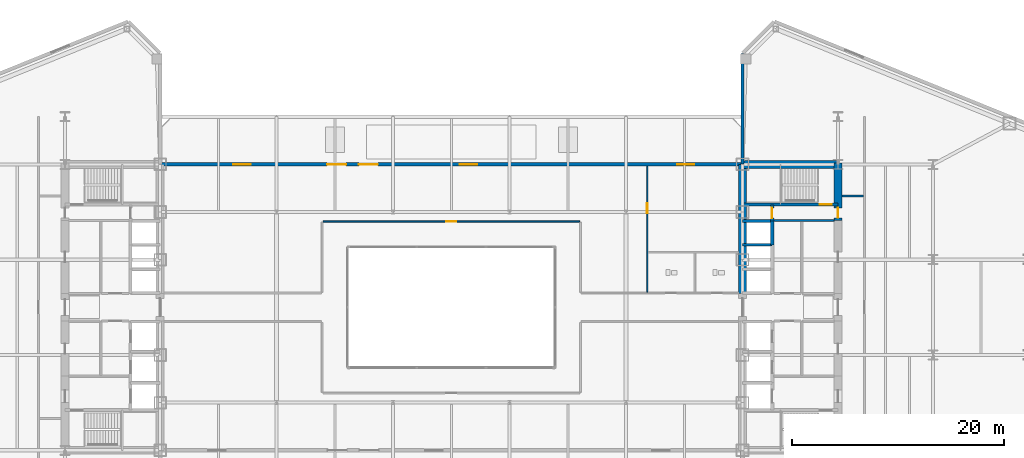
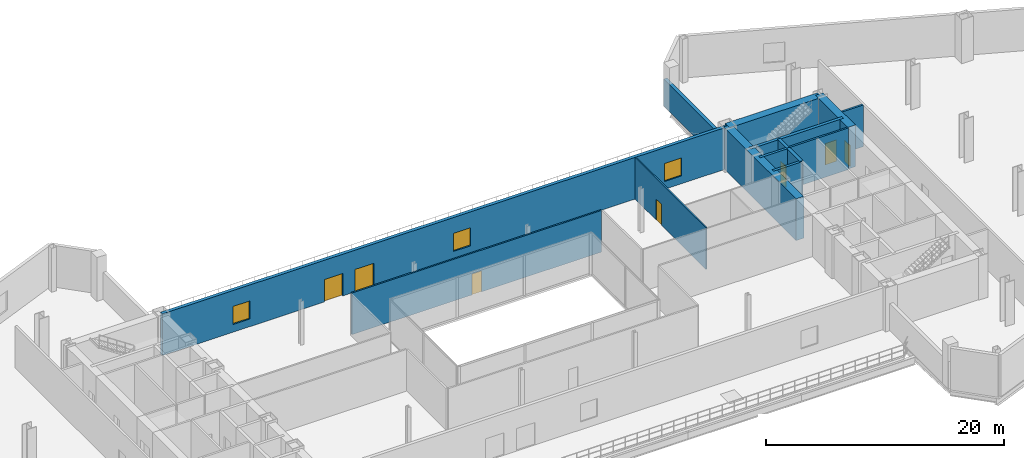
# One storey, part 19 of 23: 14 walls, 7 doors, 3 windows, 10 openings.
"""IFC4 building model written with IfcOpenShell, lengths in metres."""

from ifc_helpers import new_model, si_unit, direction, frame, frame_2d, origin, place, context, subcontext, project, spatial, rectangle, extrude, source, transform, mapped, material, layer, layer_set, type_object, type_shapes, element, fill, save


model = new_model("IFC4")

# Units and contexts
model_context = context("Model", 3, precision=1e-05, world=origin(), true_north=direction((0.0, 1.0)))
body_context = subcontext(model_context, "Body", "Model", "MODEL_VIEW")
ifc_project = project(units=[si_unit("LENGTHUNIT", "METRE"), si_unit("AREAUNIT", "SQUARE_METRE"), si_unit("VOLUMEUNIT", "CUBIC_METRE"), si_unit("PLANEANGLEUNIT", "RADIAN"), si_unit("MASSUNIT", "GRAM", prefix="KILO")], contexts=[model_context])

# Site, building, storey
site_placement = place(None, origin())
site = spatial("IfcSite", under=ifc_project, at=site_placement, CompositionType="ELEMENT")
building_placement = place(site_placement, origin())
building = spatial("IfcBuilding", under=site, at=building_placement, Name="Seokmaru Belvedere", CompositionType="ELEMENT")
storey_placement = place(building_placement, frame((0.0, 0.0, 14.39990234375)))
storey = spatial("IfcBuildingStorey", under=building, at=storey_placement, Name="L03", CompositionType="ELEMENT", Elevation=14.39990234375)

# Wall, opening, door
ifc_material_1 = material(Name="Fire-Rated Gypsum Shaftwall")
ifc_layer_1 = layer(ifc_material_1, 0.14990234375)
ifc_layer_set_1 = layer_set([ifc_layer_1], Name="Fire-Rated Gypsum Shaftwall")
wall_type_1 = type_object("IfcWallType", Name="Apartment Fire-Acoustic Room Partition 150", PredefinedType="PARTITIONING", material=ifc_layer_set_1)
wall_1_placement = place(storey_placement, frame((-12.114990234375, 8.10009765625, 0.0), z_axis=(0.0, 0.0, 1.0), x_axis=(1.0, 0.0, 0.0)))
wall_1 = element("IfcWall", 1, at=wall_1_placement, inside=storey, type_object=wall_type_1, Name="L03 Interior Partition 009", PredefinedType="PARTITIONING", context=body_context, shape_type="SweptSolid", body=[
    extrude(rectangle(XDim=24.22998046875, YDim=0.14990234375, at=frame_2d((12.114990234375, 0.0))), origin(), (0.0, 0.0, 1.0), 4.280029296875),
])
opening_1_placement = place(wall_1_placement, frame((11.639892578125, 0.0, 0.0)))
opening_1 = element("IfcOpeningElement", 2, at=opening_1_placement, cuts=wall_1, Name="Opening D05", PredefinedType="OPENING", context=body_context, shape_type="SweptSolid", body=[
    extrude(rectangle(XDim=0.949951171875, YDim=2.14990234375, at=frame_2d((0.47509765625, 1.074951171875))), frame((0.0, 0.0849609375, 0.0), z_axis=(0.0, -1.0, 0.0), x_axis=(1.0, 0.0, 0.0)), (0.0, 0.0, 1.0), 0.169921875),
])
ifc_material_2 = material(Name="Engineered White Oak Timber", Category="wood")
door_type_1 = type_object("IfcDoorType", Name="Apartment Interior Fire-Rated Oak Door 950x2150", OperationType="NOTDEFINED", PredefinedType="DOOR", material=ifc_material_2)
shared_shape_1 = source(origin(), body_context, "Body", "SweptSolid", [
    extrude(rectangle(XDim=0.949951171875, YDim=2.14990234375, at=frame_2d((0.47509765625, 1.074951171875))), frame((0.0, 0.02490234375, 0.0), z_axis=(0.0, -1.0, 0.0), x_axis=(1.0, 0.0, 0.0)), (0.0, 0.0, 1.0), 0.050048828125),
])
type_shapes(door_type_1, [shared_shape_1])
door_1_placement = place(opening_1_placement, origin())
door_1 = element("IfcDoor", 3, at=door_1_placement, inside=storey, type_object=door_type_1, Name="L03 Interior Door 003", OperationType="SINGLE_SWING_LEFT", OverallHeight=2.14990234375, OverallWidth=0.949951171875, PredefinedType="DOOR", context=body_context, shape_type="MappedRepresentation", body=[
    mapped(shared_shape_1, transform((0.0, 0.0, 0.0), scale=1.0)),
])
fill(opening_1, door_1)

# Walls
ifc_layer_2 = layer(ifc_material_1, 0.179931640625)
ifc_layer_set_2 = layer_set([ifc_layer_2], Name="Fire-Rated Gypsum Shaftwall")
wall_type_2 = type_object("IfcWallType", Name="Core Service Fire Partition 180", PredefinedType="PARTITIONING", material=ifc_layer_set_2)
wall_2_placement = place(storey_placement, frame((30.449951171875, 8.199951171875, 0.0), z_axis=(0.0, 0.0, 1.0), x_axis=(1.0, 0.0, 0.0)))
element("IfcWall", 4, at=wall_2_placement, inside=storey, type_object=wall_type_2, Name="L03 East Smokeproof Vestibule Partition", PredefinedType="PARTITIONING", context=body_context, shape_type="SweptSolid", body=[
    extrude(rectangle(XDim=5.699951171875, YDim=0.179931640625, at=frame_2d((2.85009765625, 0.0))), origin(), (0.0, 0.0, 1.0), 4.280029296875),
])
ifc_material_3 = material(Name="Concrete C50 (50 MPa)", Category="concrete")
ifc_layer_3 = layer(ifc_material_3, 0.25)
ifc_layer_set_3 = layer_set([ifc_layer_3], Name="Concrete C50 (50 MPa)")
wall_type_3 = type_object("IfcWallType", Name="Hoistway Transverse Concrete Divider Wall 250", PredefinedType="SHEAR", material=ifc_layer_set_3)
for number, where, z_axis, x_axis, name in (
    (5, (27.5, 5.89990234375, 0.0), (0.0, 0.0, 1.0), (1.0, 0.0, 0.0), "L03 East Hoistway Divider Core Wall 6"),
    (6, (27.5, 8.14990234375, 0.0), (0.0, 0.0, 1.0), (1.0, 0.0, 0.0), "L03 East Hoistway Divider Core Wall 7"),
):
    element("IfcWall", number, at=place(storey_placement, frame(where, z_axis=z_axis, x_axis=x_axis)), inside=storey, type_object=wall_type_3, Name=name, PredefinedType="SHEAR", context=body_context, shape_type="SweptSolid", body=[
        extrude(rectangle(XDim=2.800048828125, YDim=0.25, at=frame_2d((1.39990234375, 0.0))), origin(), (0.0, 0.0, 1.0), 4.280029296875),
    ])
ifc_layer_4 = layer(ifc_material_1, 0.199951171875)
ifc_layer_set_4 = layer_set([ifc_layer_4], Name="Fire-Rated Gypsum Shaftwall")
wall_type_4 = type_object("IfcWallType", Name="Inter-Tenancy Fire Compartment Partition 200", PredefinedType="PARTITIONING", material=ifc_layer_set_4)
wall_3_placement = place(storey_placement, frame((36.8798828125, 10.5, 0.0), z_axis=(0.0, 0.0, 1.0), x_axis=(1.0, 0.0, 0.0)))
element("IfcWall", 7, at=wall_3_placement, inside=storey, type_object=wall_type_4, Name="L03 Interior Partition 011", PredefinedType="PARTITIONING", context=body_context, shape_type="SweptSolid", body=[
    extrude(rectangle(XDim=2.03515625, YDim=0.199951171875, at=frame_2d((1.017578125, 0.0))), origin(), (0.0, 0.0, 1.0), 4.280029296875),
])

# Wall, opening, door
ifc_layer_5 = layer(ifc_material_3, 0.300048828125)
ifc_layer_set_5 = layer_set([ifc_layer_5], Name="Concrete C50 (50 MPa)")
wall_type_5 = type_object("IfcWallType", Name="Internal Core Stair and Hoistway Wall 300", PredefinedType="SHEAR", material=ifc_layer_set_5)
wall_4_placement = place(storey_placement, frame((27.5, 9.699951171875, 0.0), z_axis=(0.0, 0.0, 1.0), x_axis=(1.0, 0.0, 0.0)))
wall_4 = element("IfcWall", 8, at=wall_4_placement, inside=storey, type_object=wall_type_5, Name="L03 East Stair ST-2 Enclosure Wall", PredefinedType="SHEAR", context=body_context, shape_type="SweptSolid", body=[
    extrude(rectangle(XDim=9.0, YDim=0.300048828125, at=frame_2d((4.5, 0.0))), origin(), (0.0, 0.0, 1.0), 4.280029296875),
])
opening_2_placement = place(wall_4_placement, frame((7.300048828125, 0.0, 0.0)))
opening_2 = element("IfcOpeningElement", 9, at=opening_2_placement, cuts=wall_4, Name="Opening D01", PredefinedType="OPENING", context=body_context, shape_type="SweptSolid", body=[
    extrude(rectangle(XDim=1.10009765625, YDim=2.199951171875, at=frame_2d((0.550048828125, 1.10009765625))), frame((0.0, 0.16015625, 0.0), z_axis=(0.0, -1.0, 0.0), x_axis=(1.0, 0.0, 0.0)), (0.0, 0.0, 1.0), 0.320068359375),
])
ifc_material_4 = material(Name="Fire-Rated Steel Leaf", Category="steel")
door_type_2 = type_object("IfcDoorType", Name="Special Escape Stair Smokeproof Fire Door 1100x2200", OperationType="NOTDEFINED", PredefinedType="DOOR", material=ifc_material_4)
shared_shape_2 = source(origin(), body_context, "Body", "SweptSolid", [
    extrude(rectangle(XDim=1.10009765625, YDim=2.199951171875, at=frame_2d((0.550048828125, 1.10009765625))), frame((0.0, 0.02490234375, 0.0), z_axis=(0.0, -1.0, 0.0), x_axis=(1.0, 0.0, 0.0)), (0.0, 0.0, 1.0), 0.050048828125),
])
type_shapes(door_type_2, [shared_shape_2])
door_2_placement = place(opening_2_placement, origin())
door_2 = element("IfcDoor", 10, at=door_2_placement, inside=storey, type_object=door_type_2, Name="L03 East Special Escape Stair ST-2 Door", OperationType="SINGLE_SWING_LEFT", OverallHeight=2.199951171875, OverallWidth=1.10009765625, PredefinedType="DOOR", context=body_context, shape_type="MappedRepresentation", body=[
    mapped(shared_shape_2, transform((0.0, 0.0, 0.0), scale=1.0)),
])
fill(opening_2, door_2)

# Wall
wall_5_placement = place(storey_placement, frame((30.300048828125, 5.89990234375, 0.0), z_axis=(0.0, 0.0, 1.0), x_axis=(0.0, 1.0, 0.0)))
element("IfcWall", 11, at=wall_5_placement, inside=storey, type_object=wall_type_5, Name="L03 East North Hoistway Wall OBS", PredefinedType="SHEAR", context=body_context, shape_type="SweptSolid", body=[
    extrude(rectangle(XDim=2.25, YDim=0.300048828125, at=frame_2d((1.125, 0.0))), origin(), (0.0, 0.0, 1.0), 4.280029296875),
])

# Wall, opening, door
wall_6_placement = place(storey_placement, frame((30.300048828125, 8.14990234375, 0.0), z_axis=(0.0, 0.0, 1.0), x_axis=(0.0, 1.0, 0.0)))
wall_6 = element("IfcWall", 12, at=wall_6_placement, inside=storey, type_object=wall_type_5, Name="L03 East Electrical Riser Front Wall", PredefinedType="SHEAR", context=body_context, shape_type="SweptSolid", body=[
    extrude(rectangle(XDim=1.530029296875, YDim=0.300048828125, at=frame_2d((0.76513671875, 0.0))), origin(), (0.0, 0.0, 1.0), 4.280029296875),
])
opening_3_placement = place(wall_6_placement, frame((0.284912109375, 0.0, 0.0)))
opening_3 = element("IfcOpeningElement", 13, at=opening_3_placement, cuts=wall_6, Name="Opening D04", PredefinedType="OPENING", context=body_context, shape_type="SweptSolid", body=[
    extrude(rectangle(XDim=0.949951171875, YDim=2.14990234375, at=frame_2d((0.47509765625, 1.074951171875))), frame((0.0, 0.16015625, 0.0), z_axis=(0.0, -1.0, 0.0), x_axis=(1.0, 0.0, 0.0)), (0.0, 0.0, 1.0), 0.320068359375),
])
door_type_3 = type_object("IfcDoorType", Name="Core Service Room Fire Door 950x2150", OperationType="NOTDEFINED", PredefinedType="DOOR", material=ifc_material_4)
shared_shape_3 = source(origin(), body_context, "Body", "SweptSolid", [
    extrude(rectangle(XDim=0.949951171875, YDim=2.14990234375, at=frame_2d((0.47509765625, 1.074951171875))), frame((0.0, 0.02490234375, 0.0), z_axis=(0.0, -1.0, 0.0), x_axis=(1.0, 0.0, 0.0)), (0.0, 0.0, 1.0), 0.050048828125),
])
type_shapes(door_type_3, [shared_shape_3])
door_3_placement = place(opening_3_placement, origin())
door_3 = element("IfcDoor", 14, at=door_3_placement, inside=storey, type_object=door_type_3, Name="L03 East Electrical Riser Access Door", OperationType="SINGLE_SWING_RIGHT", OverallHeight=2.14990234375, OverallWidth=0.949951171875, PredefinedType="DOOR", context=body_context, shape_type="MappedRepresentation", body=[
    mapped(shared_shape_3, transform((0.0, 0.0, 0.0), scale=1.0)),
])
fill(opening_3, door_3)

# Walls
ifc_material_5 = material(Name="Concrete C60 (60 MPa)", Category="concrete")
ifc_layer_6 = layer(ifc_material_5, 0.75)
ifc_layer_set_6 = layer_set([ifc_layer_6], Name="Concrete C60 (60 MPa)")
wall_type_6 = type_object("IfcWallType", Name="Lower Tower Reinforced Concrete Core Wall 750", PredefinedType="SHEAR", material=ifc_layer_set_6)
wall_7_placement = place(storey_placement, frame((27.5, 1.300048828125, 0.0), z_axis=(0.0, 0.0, 1.0), x_axis=(0.0, 1.0, 0.0)))
element("IfcWall", 15, at=wall_7_placement, inside=storey, type_object=wall_type_6, Name="L03 East Portal Spine Core Wall North", PredefinedType="SHEAR", context=body_context, shape_type="SweptSolid", body=[
    extrude(rectangle(XDim=12.199951171875, YDim=0.75, at=frame_2d((6.10009765625, 0.0))), origin(), (0.0, 0.0, 1.0), 4.280029296875),
])
wall_8_placement = place(storey_placement, frame((27.5, 13.5, 0.0), z_axis=(0.0, 0.0, 1.0), x_axis=(1.0, 0.0, 0.0)))
element("IfcWall", 16, at=wall_8_placement, inside=storey, type_object=wall_type_6, Name="L03 East North Core Wall", PredefinedType="SHEAR", context=body_context, shape_type="SweptSolid", body=[
    extrude(rectangle(XDim=9.0, YDim=0.75, at=frame_2d((4.5, 0.0))), origin(), (0.0, 0.0, 1.0), 4.280029296875),
])

# Wall, opening, door
wall_9_placement = place(storey_placement, frame((36.5, 8.199951171875, 0.0), z_axis=(0.0, 0.0, 1.0), x_axis=(0.0, 1.0, 0.0)))
wall_9 = element("IfcWall", 17, at=wall_9_placement, inside=storey, type_object=wall_type_6, Name="L03 East West Core Wall VST", PredefinedType="SHEAR", context=body_context, shape_type="SweptSolid", body=[
    extrude(rectangle(XDim=5.449951171875, YDim=0.75, at=frame_2d((2.72509765625, 0.0))), origin(), (0.0, 0.0, 1.0), 4.280029296875),
])
opening_4_placement = place(wall_9_placement, frame((0.2451171875, 0.0, 0.0)))
opening_4 = element("IfcOpeningElement", 18, at=opening_4_placement, cuts=wall_9, Name="Opening D04", PredefinedType="OPENING", context=body_context, shape_type="SweptSolid", body=[
    extrude(rectangle(XDim=0.949951171875, YDim=2.14990234375, at=frame_2d((0.47509765625, 1.074951171875))), frame((0.0, 0.385009765625, 0.0), z_axis=(0.0, -1.0, 0.0), x_axis=(1.0, 0.0, 0.0)), (0.0, 0.0, 1.0), 0.77001953125),
])
door_4_placement = place(opening_4_placement, origin())
door_4 = element("IfcDoor", 19, at=door_4_placement, inside=storey, type_object=door_type_3, Name="L03 East Smokeproof Vestibule Door", OperationType="SINGLE_SWING_LEFT", OverallHeight=2.14990234375, OverallWidth=0.949951171875, PredefinedType="DOOR", context=body_context, shape_type="MappedRepresentation", body=[
    mapped(shared_shape_3, transform((0.0, 0.0, 0.0), scale=1.0)),
])
fill(opening_4, door_4)

ifc_layer_7 = layer(ifc_material_1, 0.1298828125)
ifc_layer_set_7 = layer_set([ifc_layer_7], Name="Fire-Rated Gypsum Shaftwall")
wall_type_7 = type_object("IfcWallType", Name="Moisture-Resistant Fire-Rated Bathroom Partition 130", PredefinedType="PARTITIONING", material=ifc_layer_set_7)
wall_10_placement = place(storey_placement, frame((18.5, 1.43505859375, 0.0), z_axis=(0.0, 0.0, 1.0), x_axis=(0.0, 1.0, 0.0)))
wall_10 = element("IfcWall", 20, at=wall_10_placement, inside=storey, type_object=wall_type_7, Name="L03 Interior Partition 017", PredefinedType="PARTITIONING", context=body_context, shape_type="SweptSolid", body=[
    extrude(rectangle(XDim=11.89990234375, YDim=0.1298828125, at=frame_2d((5.949951171875, 0.0))), origin(), (0.0, 0.0, 1.0), 4.280029296875),
])
opening_5_placement = place(wall_10_placement, frame((7.43994140625, 0.0, 0.0)))
opening_5 = element("IfcOpeningElement", 21, at=opening_5_placement, cuts=wall_10, Name="Opening D05", PredefinedType="OPENING", context=body_context, shape_type="SweptSolid", body=[
    extrude(rectangle(XDim=0.949951171875, YDim=2.14990234375, at=frame_2d((0.47509765625, 1.074951171875))), frame((0.0, 0.074951171875, 0.0), z_axis=(0.0, -1.0, 0.0), x_axis=(1.0, 0.0, 0.0)), (0.0, 0.0, 1.0), 0.14990234375),
])
door_5_placement = place(opening_5_placement, origin())
door_5 = element("IfcDoor", 22, at=door_5_placement, inside=storey, type_object=door_type_1, Name="L03 Interior Door 007", OperationType="SINGLE_SWING_LEFT", OverallHeight=2.14990234375, OverallWidth=0.949951171875, PredefinedType="DOOR", context=body_context, shape_type="MappedRepresentation", body=[
    mapped(shared_shape_1, transform((0.0, 0.0, 0.0), scale=1.0)),
])
fill(opening_5, door_5)

# Wall
ifc_material_6 = material(Name="Concrete C40 (40 MPa)", Category="concrete")
ifc_layer_8 = layer(ifc_material_6, 0.320068359375)
ifc_layer_set_8 = layer_set([ifc_layer_8], Name="Concrete C40 (40 MPa)")
wall_type_8 = type_object("IfcWallType", Name="Podium Terrace Insulated Wall 320", PredefinedType="SOLIDWALL", material=ifc_layer_set_8)
wall_11_placement = place(storey_placement, frame((27.5, 13.550048828125, 0.0), z_axis=(0.0, 0.0, 1.0), x_axis=(0.0, 1.0, 0.0)))
element("IfcWall", 23, at=wall_11_placement, inside=storey, type_object=wall_type_8, Name="L03 Exterior Podium Spine Wall 11N", PredefinedType="SOLIDWALL", context=body_context, shape_type="SweptSolid", body=[
    extrude(rectangle(XDim=10.39990234375, YDim=0.320068359375, at=frame_2d((5.199951171875, 0.0))), origin(), (0.0, 0.0, 1.0), 2.780029296875),
])

# Wall, openings, doors, windows
wall_12_placement = place(storey_placement, frame((27.4599609375, 13.5, 0.0), z_axis=(0.0, 0.0, 1.0), x_axis=(-1.0, 0.0, 0.0)))
wall_12 = element("IfcWall", 24, at=wall_12_placement, inside=storey, type_object=wall_type_8, Name="L03 Exterior Podium Wall 12", PredefinedType="SOLIDWALL", context=body_context, shape_type="SweptSolid", body=[
    extrude(rectangle(XDim=54.919921875, YDim=0.320068359375, at=frame_2d((27.4599609375, 0.0))), origin(), (0.0, 0.0, 1.0), 4.280029296875),
])
opening_6_placement = place(wall_12_placement, frame((34.39990234375, 0.0, 0.0)))
opening_6 = element("IfcOpeningElement", 25, at=opening_6_placement, cuts=wall_12, Name="Opening DX3", PredefinedType="OPENING", context=body_context, shape_type="SweptSolid", body=[
    extrude(rectangle(XDim=1.800048828125, YDim=2.300048828125, at=frame_2d((0.89990234375, 1.14990234375))), frame((0.0, 0.169921875, 0.0), z_axis=(0.0, -1.0, 0.0), x_axis=(1.0, 0.0, 0.0)), (0.0, 0.0, 1.0), 0.340087890625),
])
opening_7_placement = place(wall_12_placement, frame((37.39990234375, 0.0, 0.0)))
opening_7 = element("IfcOpeningElement", 26, at=opening_7_placement, cuts=wall_12, Name="Opening DX3", PredefinedType="OPENING", context=body_context, shape_type="SweptSolid", body=[
    extrude(rectangle(XDim=1.800048828125, YDim=2.300048828125, at=frame_2d((0.89990234375, 1.14990234375))), frame((0.0, 0.169921875, 0.0), z_axis=(0.0, -1.0, 0.0), x_axis=(1.0, 0.0, 0.0)), (0.0, 0.0, 1.0), 0.340087890625),
])
opening_8_placement = place(wall_12_placement, frame((4.5, 0.0, 0.800048828125)))
opening_8 = element("IfcOpeningElement", 27, at=opening_8_placement, cuts=wall_12, Name="Opening WN8", PredefinedType="OPENING", context=body_context, shape_type="SweptSolid", body=[
    extrude(rectangle(XDim=1.64990234375, YDim=1.85009765625, at=frame_2d((0.824951171875, 0.925048828125))), frame((0.0, 0.169921875, 0.0), z_axis=(0.0, -1.0, 0.0), x_axis=(1.0, 0.0, 0.0)), (0.0, 0.0, 1.0), 0.340087890625),
])
opening_9_placement = place(wall_12_placement, frame((25.0, 0.0, 0.800048828125)))
opening_9 = element("IfcOpeningElement", 28, at=opening_9_placement, cuts=wall_12, Name="Opening WN8", PredefinedType="OPENING", context=body_context, shape_type="SweptSolid", body=[
    extrude(rectangle(XDim=1.64990234375, YDim=1.85009765625, at=frame_2d((0.824951171875, 0.925048828125))), frame((0.0, 0.169921875, 0.0), z_axis=(0.0, -1.0, 0.0), x_axis=(1.0, 0.0, 0.0)), (0.0, 0.0, 1.0), 0.340087890625),
])
opening_10_placement = place(wall_12_placement, frame((46.419921875, 0.0, 0.800048828125)))
opening_10 = element("IfcOpeningElement", 29, at=opening_10_placement, cuts=wall_12, Name="Opening WN8", PredefinedType="OPENING", context=body_context, shape_type="SweptSolid", body=[
    extrude(rectangle(XDim=1.64990234375, YDim=1.85009765625, at=frame_2d((0.824951171875, 0.925048828125))), frame((0.0, 0.169921875, 0.0), z_axis=(0.0, -1.0, 0.0), x_axis=(1.0, 0.0, 0.0)), (0.0, 0.0, 1.0), 0.340087890625),
])
ifc_material_7 = material(Name="Anodised Bronze Aluminium", Category="aluminium")
door_type_4 = type_object("IfcDoorType", Name="Cascading Terrace Glazed Double Door 1800x2300", OperationType="DOUBLE_SWING_LEFT", PredefinedType="DOOR", material=ifc_material_7)
shared_shape_4 = source(origin(), body_context, "Body", "SweptSolid", [
    extrude(rectangle(XDim=1.800048828125, YDim=2.300048828125, at=frame_2d((0.89990234375, 1.14990234375))), frame((0.0, 0.02490234375, 0.0), z_axis=(0.0, -1.0, 0.0), x_axis=(1.0, 0.0, 0.0)), (0.0, 0.0, 1.0), 0.050048828125),
])
type_shapes(door_type_4, [shared_shape_4])
door_6_placement = place(opening_6_placement, frame((1.800048828125, 0.0, 0.0), z_axis=(0.0, 0.0, 1.0), x_axis=(-1.0, 0.0, 0.0)))
door_6 = element("IfcDoor", 30, at=door_6_placement, inside=storey, type_object=door_type_4, Name="L03 North Garden Terrace Access Door 1", OperationType="DOUBLE_SWING_LEFT", OverallHeight=2.300048828125, OverallWidth=1.800048828125, PredefinedType="DOOR", context=body_context, shape_type="MappedRepresentation", body=[
    mapped(shared_shape_4, transform((0.0, 0.0, 0.0), scale=1.0)),
])
fill(opening_6, door_6)
door_7_placement = place(opening_7_placement, frame((1.800048828125, 0.0, 0.0), z_axis=(0.0, 0.0, 1.0), x_axis=(-1.0, 0.0, 0.0)))
door_7 = element("IfcDoor", 31, at=door_7_placement, inside=storey, type_object=door_type_4, Name="L03 North Garden Terrace Access Door 2", OperationType="DOUBLE_SWING_LEFT", OverallHeight=2.300048828125, OverallWidth=1.800048828125, PredefinedType="DOOR", context=body_context, shape_type="MappedRepresentation", body=[
    mapped(shared_shape_4, transform((0.0, 0.0, 0.0), scale=1.0)),
])
fill(opening_7, door_7)
ifc_material_8 = material(Name="Bronze Triple Insulating Glass", Category="glass")
window_type = type_object("IfcWindowType", Name="Podium Seminar Clerestory Window 1650x1850", PartitioningType="SINGLE_PANEL", PredefinedType="WINDOW", material=ifc_material_8)
shared_shape_5 = source(origin(), body_context, "Body", "SweptSolid", [
    extrude(rectangle(XDim=1.64990234375, YDim=1.85009765625, at=frame_2d((0.824951171875, 0.925048828125))), frame((0.0, 0.030029296875, 0.0), z_axis=(0.0, -1.0, 0.0), x_axis=(1.0, 0.0, 0.0)), (0.0, 0.0, 1.0), 0.06005859375),
])
type_shapes(window_type, [shared_shape_5])
window_1_placement = place(opening_8_placement, origin())
window_1 = element("IfcWindow", 32, at=window_1_placement, inside=storey, type_object=window_type, Name="L03 North Terrace Window 1", OverallHeight=1.85009765625, OverallWidth=1.64990234375, PartitioningType="SINGLE_PANEL", PredefinedType="WINDOW", context=body_context, shape_type="MappedRepresentation", body=[
    mapped(shared_shape_5, transform((0.0, 0.0, 0.0), scale=1.0)),
])
fill(opening_8, window_1)
window_2_placement = place(opening_9_placement, origin())
window_2 = element("IfcWindow", 33, at=window_2_placement, inside=storey, type_object=window_type, Name="L03 North Terrace Window 2", OverallHeight=1.85009765625, OverallWidth=1.64990234375, PartitioningType="SINGLE_PANEL", PredefinedType="WINDOW", context=body_context, shape_type="MappedRepresentation", body=[
    mapped(shared_shape_5, transform((0.0, 0.0, 0.0), scale=1.0)),
])
fill(opening_9, window_2)
window_3_placement = place(opening_10_placement, origin())
window_3 = element("IfcWindow", 34, at=window_3_placement, inside=storey, type_object=window_type, Name="L03 North Terrace Window 3", OverallHeight=1.85009765625, OverallWidth=1.64990234375, PartitioningType="SINGLE_PANEL", PredefinedType="WINDOW", context=body_context, shape_type="MappedRepresentation", body=[
    mapped(shared_shape_5, transform((0.0, 0.0, 0.0), scale=1.0)),
])
fill(opening_10, window_3)

save(model, "model.ifc")
